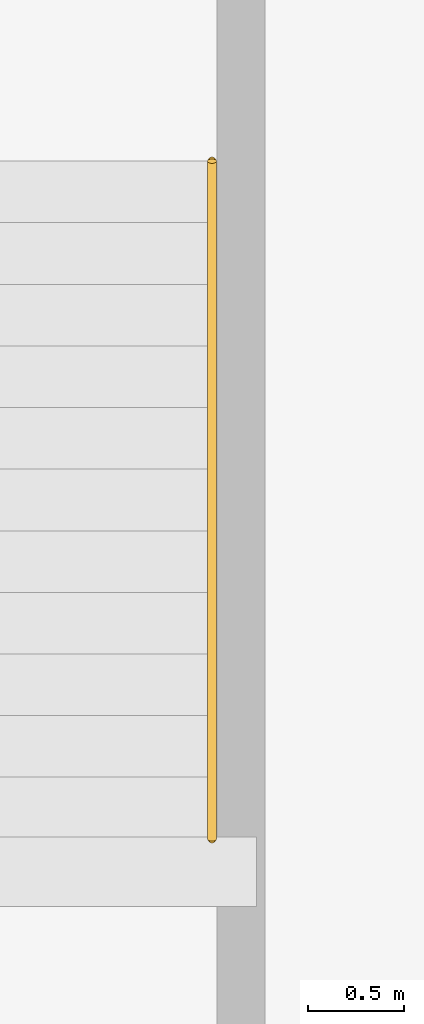
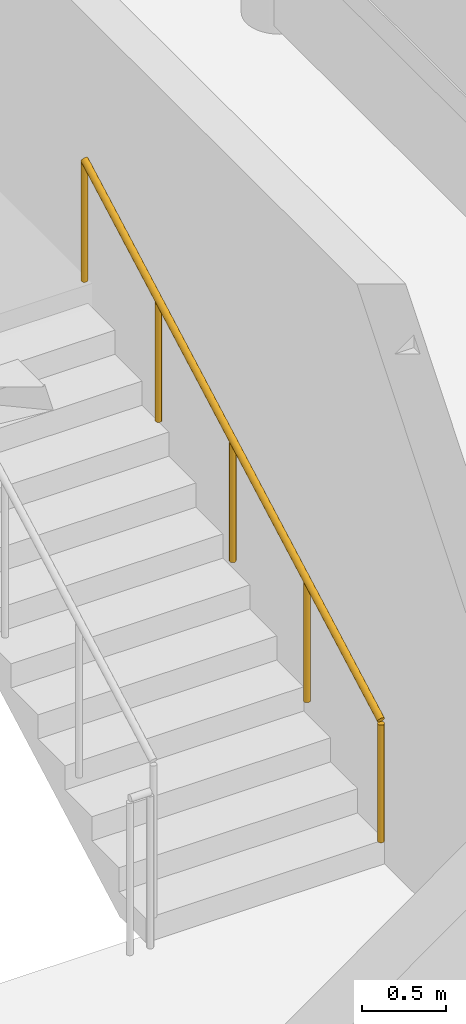
# One storey, part 21 of 21: 1 railing.
"""IFC4 building model written with IfcOpenShell, lengths in metres."""

from ifc_helpers import new_model, si_unit, direction, frame, origin, origin_2d, place, context, subcontext, project, spatial, circle, extrude, material, layer, layer_set, type_object, element, save


model = new_model("IFC4")

# Units and contexts
model_context = context("Model", 3, precision=1e-05, world=origin(), true_north=direction((0.0, 1.0)))
body_context = subcontext(model_context, "Body", "Model", "MODEL_VIEW")
ifc_project = project(units=[si_unit("LENGTHUNIT", "METRE"), si_unit("AREAUNIT", "SQUARE_METRE"), si_unit("VOLUMEUNIT", "CUBIC_METRE"), si_unit("PLANEANGLEUNIT", "RADIAN"), si_unit("MASSUNIT", "GRAM", prefix="KILO")], contexts=[model_context])

# Site, building, storey
site_placement = place(None, origin())
site = spatial("IfcSite", under=ifc_project, at=site_placement, CompositionType="ELEMENT")
building_placement = place(site_placement, origin())
building = spatial("IfcBuilding", under=site, at=building_placement, Name="Kallvorn Hotel Tower", CompositionType="ELEMENT")
storey_placement = place(building_placement, frame((0.0, 0.0, 286.39990234375)))
storey = spatial("IfcBuildingStorey", under=building, at=storey_placement, Name="L71", CompositionType="ELEMENT", Elevation=286.39990234375)

# Railing
ifc_material = material(Name="Brushed stainless-steel tubular railing", Category="steel")
ifc_layer = layer(ifc_material, 0.050048828125)
ifc_layer_set = layer_set([ifc_layer], Name="RL_STAIR_HAND")
railing_type = type_object("IfcRailingType", Name="RL_STAIR_HAND", PredefinedType="HANDRAIL", material=ifc_layer_set)
railing_placement = place(storey_placement, frame((20.110107421875, -3.139892578125, 0.175048828125)))
element("IfcRailing", 1, at=railing_placement, inside=storey, type_object=railing_type, Name="L71 ST4 stair handrail 1", PredefinedType="HANDRAIL", context=body_context, shape_type="SweptSolid", body=[
    extrude(circle(Radius=0.02392578125, at=origin_2d()), frame((0.0, 0.0, 0.8759765625), z_axis=(0.0, 0.877353125902, 0.479845279721), x_axis=(-1.0, 0.0, 0.0)), (0.0, 0.0, 1.0), 4.01171875),
    extrude(circle(Radius=0.02099609375, at=origin_2d()), origin(), (0.0, 0.0, 1.0), 0.851806640625),
    extrude(circle(Radius=0.02099609375, at=origin_2d()), frame((0.0, 0.8798828125, 0.481201171875)), (0.0, 0.0, 1.0), 0.851806640625),
    extrude(circle(Radius=0.02099609375, at=origin_2d()), frame((0.0, 1.759765625, 0.96240234375)), (0.0, 0.0, 1.0), 0.851806640625),
    extrude(circle(Radius=0.02099609375, at=origin_2d()), frame((0.0, 2.639892578125, 1.44384765625)), (0.0, 0.0, 1.0), 0.851806640625),
    extrude(circle(Radius=0.02099609375, at=origin_2d()), frame((0.0, 3.519775390625, 1.925048828125)), (0.0, 0.0, 1.0), 0.851806640625),
])

save(model, "model.ifc")
